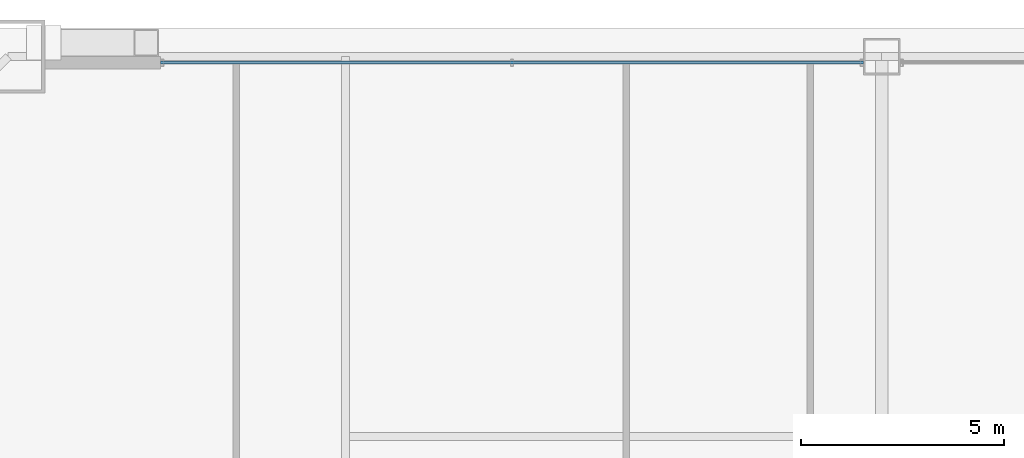
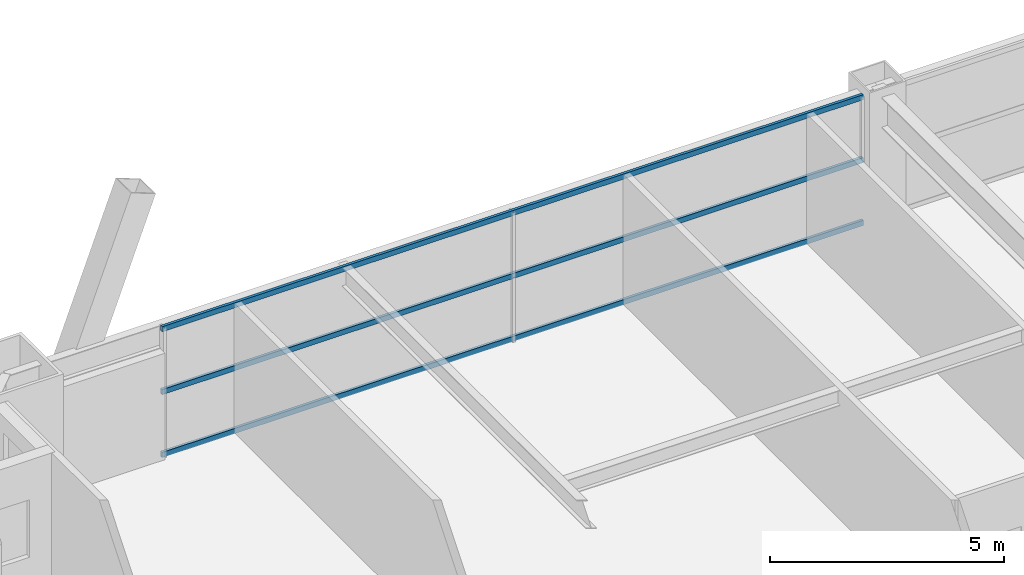
# One storey, part 29 of 43: 3 members, 1 element without a shape of its own.
"""IFC4 building model written with IfcOpenShell, lengths in metres."""

from ifc_helpers import new_model, si_unit, direction, frame, origin, origin_2d, place, context, subcontext, project, spatial, hollow_rectangle, extrude, source, transform, mapped, material, layer, layer_set, material_profile, profile_set, type_object, element, aggregate, save


model = new_model("IFC4")

# Units and contexts
model_context = context("Model", 3, precision=1e-05, world=origin(), true_north=direction((0.0, 1.0)))
body_context = subcontext(model_context, "Body", "Model", "MODEL_VIEW")
ifc_project = project(units=[si_unit("LENGTHUNIT", "METRE"), si_unit("AREAUNIT", "SQUARE_METRE"), si_unit("VOLUMEUNIT", "CUBIC_METRE"), si_unit("PLANEANGLEUNIT", "RADIAN"), si_unit("MASSUNIT", "GRAM", prefix="KILO"), si_unit("THERMODYNAMICTEMPERATUREUNIT", "KELVIN"), si_unit("POWERUNIT", "WATT")], contexts=[model_context])

# Site, building, storey
site_placement = place(None, origin())
site = spatial("IfcSite", under=ifc_project, at=site_placement, CompositionType="ELEMENT")
building_placement = place(site_placement, origin())
building = spatial("IfcBuilding", under=site, at=building_placement, Name="Yuzanri Waterfront Tower", CompositionType="ELEMENT")
storey_placement = place(building_placement, frame((0.0, 0.0, 74.800048828125)))
storey = spatial("IfcBuildingStorey", under=building, at=storey_placement, Name="L19", CompositionType="ELEMENT", Elevation=74.800048828125)

# Curtain wall, members
ifc_material_1 = material(Name="Anodized Architectural Bronze", Category="metal")
ifc_layer = layer(ifc_material_1, 0.159912109375)
ifc_layer_set = layer_set([ifc_layer], Name="Anodized Architectural Bronze")
curtain_wall_type = type_object("IfcCurtainWallType", Name="Anodized Bronze Hotel Lower-Tier Recessed Unitized Curtain Wall 8100", PredefinedType="NOTDEFINED", material=ifc_layer_set)
curtain_wall_placement = place(storey_placement, origin())
curtain_wall = element("IfcCurtainWall", 1, at=curtain_wall_placement, inside=storey, type_object=curtain_wall_type, Name="L19 Curtain Wall CW-L19-NL", PredefinedType="NOTDEFINED")
ifc_material_2 = material(Name="Anodized Architectural Bronze", Category="metal")
ifc_material_profile = material_profile(ifc_material_2, hollow_rectangle(XDim=0.070068359375, YDim=0.135009765625, WallThickness=0.00341796875, at=origin_2d()), Name="CWT 70x135")
ifc_profile_set = profile_set([ifc_material_profile], Name="Anodized Architectural Bronze")
member_type = type_object("IfcMemberType", Name="Anodized Bronze Standard Curtain-Wall Transom 70x135", PredefinedType="USERDEFINED", material=ifc_profile_set)
shared_shape = source(origin(), body_context, "Body", "SweptSolid", [
    extrude(hollow_rectangle(XDim=0.070068359375, YDim=0.135009765625, WallThickness=0.00341796875, at=origin_2d()), origin(), (0.0, 0.0, 1.0), 17.300048828125),
])
member_1_placement = place(storey_placement, frame((19.25, 50.75, 0.050048828125), z_axis=(1.0, 0.0, 0.0), x_axis=(0.0, 1.0, 0.0)))
member_1 = element("IfcMember", 2, at=member_1_placement, type_object=member_type, Name="CW-L19-NL Transom 1", ObjectType="TRANSOM", PredefinedType="USERDEFINED", context=body_context, shape_type="MappedRepresentation", body=[
    mapped(shared_shape, transform((0.0, 0.0, 0.0), scale=1.0)),
])
member_2_placement = place(storey_placement, frame((19.25, 50.75, 1.68994140625), z_axis=(1.0, 0.0, 0.0), x_axis=(0.0, 1.0, 0.0)))
member_2 = element("IfcMember", 3, at=member_2_placement, type_object=member_type, Name="CW-L19-NL Transom 2", ObjectType="TRANSOM", PredefinedType="USERDEFINED", context=body_context, shape_type="MappedRepresentation", body=[
    mapped(shared_shape, transform((0.0, 0.0, 0.0), scale=1.0)),
])
member_3_placement = place(storey_placement, frame((19.25, 50.75, 3.329833984375), z_axis=(1.0, 0.0, 0.0), x_axis=(0.0, 1.0, 0.0)))
member_3 = element("IfcMember", 4, at=member_3_placement, type_object=member_type, Name="CW-L19-NL Transom 3", ObjectType="TRANSOM", PredefinedType="USERDEFINED", context=body_context, shape_type="MappedRepresentation", body=[
    mapped(shared_shape, transform((0.0, 0.0, 0.0), scale=1.0)),
])
aggregate(curtain_wall, [member_1, member_2, member_3])

save(model, "model.ifc")
